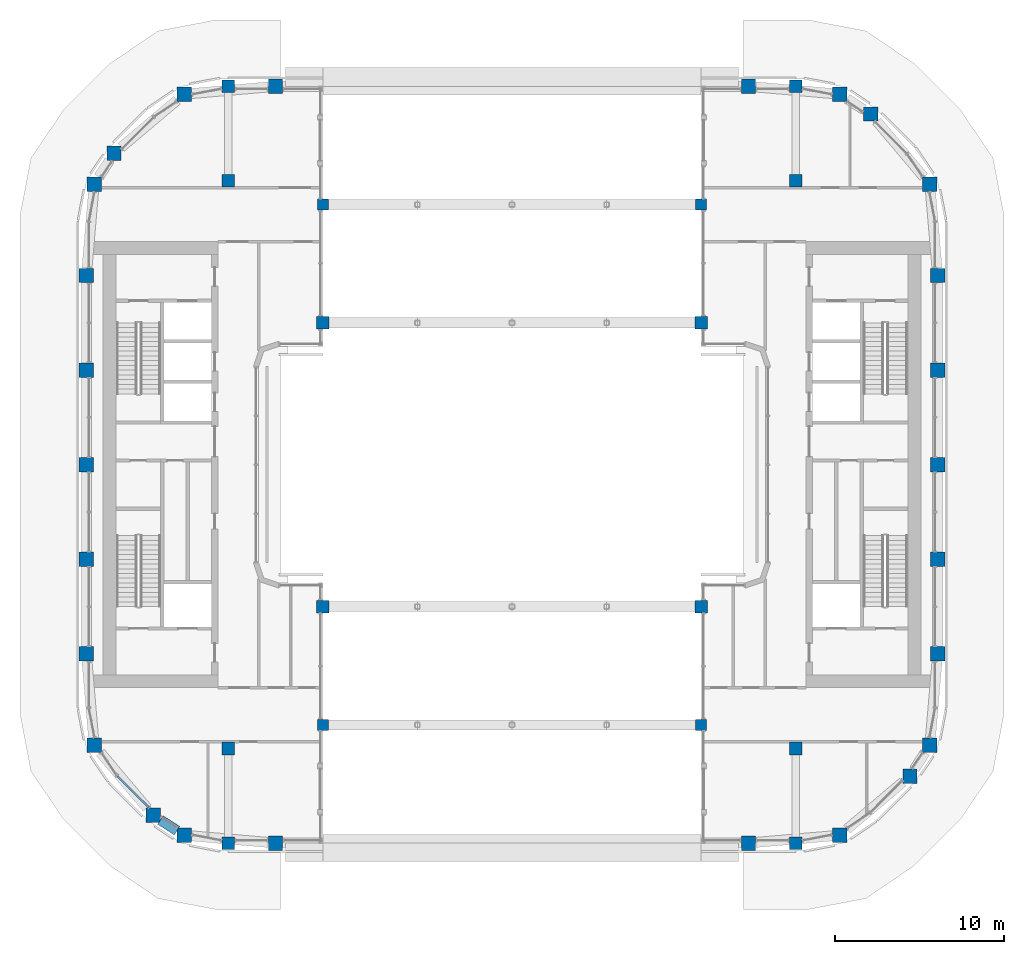
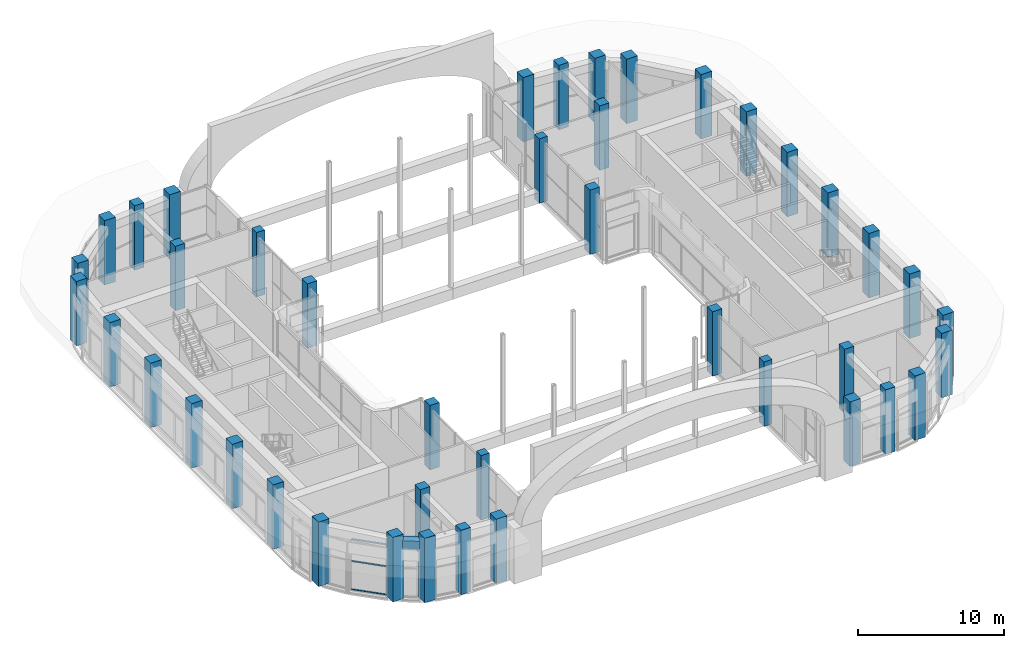
# One storey, part 1 of 26: 42 columns, 3 members, 1 beam, 1 element without a shape of its own.
"""IFC4 building model written with IfcOpenShell, lengths in metres."""

import ifcopenshell
import ifcopenshell.guid

model = None  # the IFC model being written
_history = None  # IfcOwnerHistory: only IFC2X3 demands one
_inside = {}  # id of a spatial element -> (the spatial element, [elements in it])
_under = {}  # id of a project, library or spatial element -> (it, [spatial elements below it])
_declared = {}  # id of a project -> (the project, [libraries it declares])
_typed = {}  # id of a type object -> (the type object, [elements of that type])
_made_of = {}  # id of a material, layer set ... -> (it, [elements and type objects made of it])


def new_model(schema):
    """Start an empty IFC model of exactly this schema.

    Asked for "IFC4X3", IfcOpenShell would pick the latest addendum, in which some entities
    have other attributes; the version numbers below select the first issue.
    IFC2X3 requires an IfcOwnerHistory on every rooted entity: one is made here for all.
    """
    global model, _history
    if schema == "IFC4X3":
        model = ifcopenshell.file(schema_version=(4, 3, 0, 0))
    else:
        model = ifcopenshell.file(schema=schema)
    _inside.clear()
    _under.clear()
    _declared.clear()
    _typed.clear()
    _made_of.clear()
    _history = None
    if model.schema == "IFC2X3":
        org = make("IfcOrganization", Name="unknown")
        user = make(
            "IfcPersonAndOrganization",
            ThePerson=make("IfcPerson", FamilyName="unknown"),
            TheOrganization=org,
        )
        app = make(
            "IfcApplication",
            ApplicationDeveloper=org,
            Version="unknown",
            ApplicationFullName="unknown",
            ApplicationIdentifier="unknown",
        )
        _history = make(
            "IfcOwnerHistory",
            OwningUser=user,
            OwningApplication=app,
            ChangeAction="ADDED",
            CreationDate=0,
        )
    return model


def make(cls, **values):
    """One entity of the class cls with the attributes given. An attribute that is None is left unset."""
    return model.create_entity(
        cls, **{name: value for name, value in values.items() if value is not None}
    )


def rooted(cls, **values):
    """An entity with a GlobalId (a new one), such as an element, a storey or a relation."""
    return make(cls, GlobalId=ifcopenshell.guid.new(), OwnerHistory=_history, **values)


def si_unit(unit_type, name, prefix=None):
    """IfcSIUnit, for example si_unit("LENGTHUNIT", "METRE", prefix="MILLI")."""
    return make("IfcSIUnit", UnitType=unit_type, Prefix=prefix, Name=name)


def assignment(units):
    """IfcUnitAssignment: the units of a project."""
    return None if units is None else make("IfcUnitAssignment", Units=units)


def point(xyz):
    """IfcCartesianPoint."""
    return None if xyz is None else make("IfcCartesianPoint", Coordinates=xyz)


def direction(xyz):
    """IfcDirection."""
    return None if xyz is None else make("IfcDirection", DirectionRatios=xyz)


def frame(location, z_axis=None, x_axis=None):
    """IfcAxis2Placement3D, a coordinate frame: its origin and axes. An axis left out is left unset."""
    return make(
        "IfcAxis2Placement3D",
        Location=point(location),
        Axis=direction(z_axis),
        RefDirection=direction(x_axis),
    )


def frame_2d(location, x_axis=None):
    """IfcAxis2Placement2D, a coordinate frame in the plane: its origin and x axis."""
    return make(
        "IfcAxis2Placement2D", Location=point(location), RefDirection=direction(x_axis)
    )


def origin():
    """The frame at (0, 0, 0) with its axes left unset."""
    return frame((0.0, 0.0, 0.0))


def origin_2d():
    """The frame at (0, 0) in the plane with its x axis left unset."""
    return frame_2d((0.0, 0.0))


def place(relative_to, where):
    """IfcLocalPlacement: puts the frame where relative to a parent placement (None: the world)."""
    return make(
        "IfcLocalPlacement", PlacementRelTo=relative_to, RelativePlacement=where
    )


def context(
    kind, dimensions, precision=None, world=None, true_north=None, identifier=None
):
    """IfcGeometricRepresentationContext, for example the 3D "Model" context."""
    return make(
        "IfcGeometricRepresentationContext",
        ContextIdentifier=identifier,
        ContextType=kind,
        CoordinateSpaceDimension=dimensions,
        Precision=precision,
        WorldCoordinateSystem=world,
        TrueNorth=true_north,
    )


def subcontext(parent, identifier, kind, view, scale=None):
    """IfcGeometricRepresentationSubContext, for example "Body" below "Model"."""
    return make(
        "IfcGeometricRepresentationSubContext",
        ContextIdentifier=identifier,
        ContextType=kind,
        ParentContext=parent,
        TargetScale=scale,
        TargetView=view,
    )


def project(units=None, contexts=None):
    """IfcProject with its units and contexts."""
    return rooted(
        "IfcProject",
        Name="project",
        RepresentationContexts=contexts,
        UnitsInContext=assignment(units),
    )


def spatial(cls, under=None, at=None, **own):
    """A site, building, storey or space (cls), placed at a placement, below another one or the project."""
    s = rooted(cls, ObjectPlacement=at, **own)
    if under is not None:
        _under.setdefault(under.id(), (under, []))[1].append(s)
    return s


def profile(cls, at=None, kind="AREA", **sizes):
    """A parametric profile (cls). Its sizes go by their IFC names, for example OverallWidth=200.0."""
    return make(cls, ProfileType=kind, Position=at, **sizes)


def rectangle(**sizes):
    """IfcRectangleProfileDef."""
    return profile("IfcRectangleProfileDef", **sizes)


def extrude(swept, where, along, depth):
    """IfcExtrudedAreaSolid: the profile swept, set in the frame where, extruded along a direction by depth."""
    return make(
        "IfcExtrudedAreaSolid",
        SweptArea=swept,
        Position=where,
        ExtrudedDirection=direction(along),
        Depth=depth,
    )


def shape(context_of_items, identifier, shape_type, items):
    """IfcShapeRepresentation: the items that make up one representation, for example the "Body"."""
    return make(
        "IfcShapeRepresentation",
        ContextOfItems=context_of_items,
        RepresentationIdentifier=identifier,
        RepresentationType=shape_type,
        Items=items,
    )


def material(Name=None, Category=None):
    """IfcMaterial."""
    return make("IfcMaterial", Name=Name, Category=Category)


def layer(
    of_material, thickness, ventilated=None, Name=None, Category=None, Priority=None
):
    """IfcMaterialLayer: one layer of a wall or slab, of a material (None: an air gap)."""
    return make(
        "IfcMaterialLayer",
        Material=of_material,
        LayerThickness=thickness,
        IsVentilated=ventilated,
        Name=Name,
        Category=Category,
        Priority=Priority,
    )


def layer_set(layers, Name=None):
    """IfcMaterialLayerSet."""
    return make("IfcMaterialLayerSet", MaterialLayers=layers, LayerSetName=Name)


def material_profile(
    of_material, cross_section, Name=None, Category=None, Priority=None
):
    """IfcMaterialProfile: a cross section and its material."""
    return make(
        "IfcMaterialProfile",
        Name=Name,
        Material=of_material,
        Profile=cross_section,
        Priority=Priority,
        Category=Category,
    )


def profile_set(profiles, Name=None, composite=None):
    """IfcMaterialProfileSet."""
    return make(
        "IfcMaterialProfileSet",
        Name=Name,
        MaterialProfiles=profiles,
        CompositeProfile=composite,
    )


def made_of(thing, what):
    """Note that an element or type object is made of a material, layer set ...; save() writes the relation."""
    if what is not None:
        _made_of.setdefault(what.id(), (what, []))[1].append(thing)
    return thing


def type_object(cls, material=None, **own):
    """A type object (cls), such as IfcWallType, which elements share."""
    return made_of(rooted(cls, **own), material)


def element(
    cls,
    number,
    at=None,
    inside=None,
    cuts=None,
    type_object=None,
    material=None,
    context=None,
    identifier="Body",
    shape_type=None,
    held_by="IfcProductDefinitionShape",
    body=None,
    shapes=None,
    **own,
):
    """One element of the class cls, such as IfcWall. Its Tag is "e" and its number.

    at: its placement. inside: the storey or other place that contains it. cuts: it is an
    opening in that element (IfcRelVoidsElement). A single representation is given by context,
    identifier, shape_type and body (its items); several are given by shapes. held_by: the class
    of the entity that holds the representations. save() writes the other relations.
    """
    e = rooted(cls, Tag="e%d" % number, ObjectPlacement=at, **own)
    if body is not None:
        shapes = [shape(context, identifier, shape_type, body)]
    if shapes is not None:
        e.Representation = make(held_by, Representations=shapes)
    if inside is not None:
        _inside.setdefault(inside.id(), (inside, []))[1].append(e)
    if cuts is not None:
        rooted(
            "IfcRelVoidsElement", RelatingBuildingElement=cuts, RelatedOpeningElement=e
        )
    if type_object is not None:
        _typed.setdefault(type_object.id(), (type_object, []))[1].append(e)
    return made_of(e, material)


def aggregate(whole, parts):
    """IfcRelAggregates: a whole, such as a stair, and the parts it consists of."""
    return rooted("IfcRelAggregates", RelatingObject=whole, RelatedObjects=parts)


def save(model, path):
    """Write the relations noted so far, then the file.

    IfcRelAggregates (storeys below a building ...), IfcRelContainedInSpatialStructure (elements
    in a storey), IfcRelDefinesByType, IfcRelAssociatesMaterial and IfcRelDeclares: one each for
    every whole, place, type object, material and project.
    """
    for whole, parts in _under.values():
        aggregate(whole, parts)
    for where, things in _inside.values():
        rooted(
            "IfcRelContainedInSpatialStructure",
            RelatedElements=things,
            RelatingStructure=where,
        )
    for kind, things in _typed.values():
        rooted("IfcRelDefinesByType", RelatedObjects=things, RelatingType=kind)
    for what, things in _made_of.values():
        rooted("IfcRelAssociatesMaterial", RelatedObjects=things, RelatingMaterial=what)
    for by, libraries in _declared.values():
        rooted("IfcRelDeclares", RelatingContext=by, RelatedDefinitions=libraries)
    model.write(path)


model = new_model("IFC4")

# Units and contexts
model_context = context("Model", 3, precision=1e-05, world=origin(), true_north=direction((0.0, 1.0)))
body_context = subcontext(model_context, "Body", "Model", "MODEL_VIEW")
ifc_project = project(units=[si_unit("LENGTHUNIT", "METRE"), si_unit("AREAUNIT", "SQUARE_METRE"), si_unit("VOLUMEUNIT", "CUBIC_METRE"), si_unit("PLANEANGLEUNIT", "RADIAN"), si_unit("MASSUNIT", "GRAM", prefix="KILO")], contexts=[model_context])

# Site, building, storey
site_placement = place(None, origin())
site = spatial("IfcSite", under=ifc_project, at=site_placement, CompositionType="ELEMENT")
building_placement = place(site_placement, origin())
building = spatial("IfcBuilding", under=site, at=building_placement, Name="Kiln Ring Residences", CompositionType="ELEMENT")
storey_placement = place(building_placement, frame((0.0, 0.0, 230.89990234375)))
storey = spatial("IfcBuildingStorey", under=building, at=storey_placement, Name="L60", CompositionType="ELEMENT", Elevation=230.89990234375)

# Columns
ifc_material_1 = material(Name="Concrete C70/85", Category="concrete")
ifc_material_profile_1 = material_profile(ifc_material_1, rectangle(XDim=0.64990234375, YDim=0.64990234375, at=origin_2d()), Name="RC650x650")
ifc_profile_set_1 = profile_set([ifc_material_profile_1], Name="Concrete C70/85")
column_type_1 = type_object("IfcColumnType", Name="Corridor column RC650x650 C70/85", PredefinedType="COLUMN", material=ifc_profile_set_1)
for number, where, z_axis, x_axis, name in (
    (1, (-11.199951171875, 15.39990234375, 0.0), (0.0, 0.0, 1.0), (1.0, 0.0, 0.0), "Corridor column L60 1"),
    (2, (11.199951171875, 15.39990234375, 0.0), (0.0, 0.0, 1.0), (1.0, 0.0, 0.0), "Corridor column L60 2"),
    (3, (-11.199951171875, -15.39990234375, 0.0), (0.0, 0.0, 1.0), (1.0, 0.0, 0.0), "Corridor column L60 3"),
    (4, (11.199951171875, -15.39990234375, 0.0), (0.0, 0.0, 1.0), (1.0, 0.0, 0.0), "Corridor column L60 4"),
):
    element("IfcColumn", number, at=place(storey_placement, frame(where, z_axis=z_axis, x_axis=x_axis)), inside=storey, type_object=column_type_1, Name=name, PredefinedType="COLUMN", context=body_context, shape_type="SweptSolid", body=[
        extrude(rectangle(XDim=0.64990234375, YDim=0.64990234375, at=origin_2d()), origin(), (0.0, 0.0, 1.0), 5.400146484375),
    ])
ifc_material_2 = material(Name="Concrete C70/85", Category="concrete")
ifc_material_profile_2 = material_profile(ifc_material_2, rectangle(XDim=0.85009765625, YDim=0.85009765625, at=origin_2d()), Name="RC850x850")
ifc_profile_set_2 = profile_set([ifc_material_profile_2], Name="Concrete C70/85")
column_type_2 = type_object("IfcColumnType", Name="Perimeter column RC850x850 C70/85", PredefinedType="COLUMN", material=ifc_profile_set_2)
for number, where, z_axis, x_axis, name in (
    (5, (-19.40869140625, -21.93798828125, 0.0), (0.0, 0.0, 1.0), (1.0, 0.0, 0.0), "Perimeter column L60 1"),
    (6, (-14.0, -22.39990234375, 0.0), (0.0, 0.0, 1.0), (1.0, 0.0, 0.0), "Perimeter column L60 2"),
    (7, (14.0, -22.39990234375, 0.0), (0.0, 0.0, 1.0), (1.0, 0.0, 0.0), "Perimeter column L60 3"),
    (8, (19.40869140625, -21.93798828125, 0.0), (0.0, 0.0, 1.0), (1.0, 0.0, 0.0), "Perimeter column L60 4"),
    (9, (23.559814453125, -18.440185546875, 0.0), (0.0, 0.0, 1.0), (1.0, 0.0, 0.0), "Perimeter column L60 5"),
    (10, (24.738037109375, -16.608642578125, 0.0), (0.0, 0.0, 1.0), (1.0, 0.0, 0.0), "Perimeter column L60 6"),
    (11, (25.199951171875, -11.199951171875, 0.0), (0.0, 0.0, 1.0), (1.0, 0.0, 0.0), "Perimeter column L60 7"),
    (12, (25.199951171875, -5.60009765625, 0.0), (0.0, 0.0, 1.0), (1.0, 0.0, 0.0), "Perimeter column L60 8"),
    (13, (25.199951171875, 0.0, 0.0), (0.0, 0.0, 1.0), (1.0, 0.0, 0.0), "Perimeter column L60 9"),
    (14, (25.199951171875, 5.60009765625, 0.0), (0.0, 0.0, 1.0), (1.0, 0.0, 0.0), "Perimeter column L60 10"),
    (15, (25.199951171875, 11.199951171875, 0.0), (0.0, 0.0, 1.0), (1.0, 0.0, 0.0), "Perimeter column L60 11"),
    (16, (24.738037109375, 16.608642578125, 0.0), (0.0, 0.0, 1.0), (1.0, 0.0, 0.0), "Perimeter column L60 12"),
    (17, (21.240234375, 20.759765625, 0.0), (0.0, 0.0, 1.0), (1.0, 0.0, 0.0), "Perimeter column L60 13"),
    (18, (19.40869140625, 21.93798828125, 0.0), (0.0, 0.0, 1.0), (1.0, 0.0, 0.0), "Perimeter column L60 14"),
    (19, (14.0, 22.39990234375, 0.0), (0.0, 0.0, 1.0), (1.0, 0.0, 0.0), "Perimeter column L60 15"),
    (20, (-14.0, 22.39990234375, 0.0), (0.0, 0.0, 1.0), (1.0, 0.0, 0.0), "Perimeter column L60 16"),
    (21, (-19.40869140625, 21.93798828125, 0.0), (0.0, 0.0, 1.0), (1.0, 0.0, 0.0), "Perimeter column L60 17"),
    (22, (-23.559814453125, 18.440185546875, 0.0), (0.0, 0.0, 1.0), (1.0, 0.0, 0.0), "Perimeter column L60 18"),
    (23, (-24.738037109375, 16.608642578125, 0.0), (0.0, 0.0, 1.0), (1.0, 0.0, 0.0), "Perimeter column L60 19"),
    (24, (-25.199951171875, 11.199951171875, 0.0), (0.0, 0.0, 1.0), (1.0, 0.0, 0.0), "Perimeter column L60 20"),
    (25, (-25.199951171875, 5.60009765625, 0.0), (0.0, 0.0, 1.0), (1.0, 0.0, 0.0), "Perimeter column L60 21"),
    (26, (-25.199951171875, 0.0, 0.0), (0.0, 0.0, 1.0), (1.0, 0.0, 0.0), "Perimeter column L60 22"),
    (27, (-25.199951171875, -5.60009765625, 0.0), (0.0, 0.0, 1.0), (1.0, 0.0, 0.0), "Perimeter column L60 23"),
    (28, (-25.199951171875, -11.199951171875, 0.0), (0.0, 0.0, 1.0), (1.0, 0.0, 0.0), "Perimeter column L60 24"),
    (29, (-24.738037109375, -16.608642578125, 0.0), (0.0, 0.0, 1.0), (1.0, 0.0, 0.0), "Perimeter column L60 25"),
    (30, (-21.240234375, -20.759765625, 0.0), (0.0, 0.0, 1.0), (1.0, 0.0, 0.0), "Perimeter column L60 26"),
):
    element("IfcColumn", number, at=place(storey_placement, frame(where, z_axis=z_axis, x_axis=x_axis)), inside=storey, type_object=column_type_2, Name=name, PredefinedType="COLUMN", context=body_context, shape_type="SweptSolid", body=[
        extrude(rectangle(XDim=0.85009765625, YDim=0.85009765625, at=origin_2d()), origin(), (0.0, 0.0, 1.0), 5.400146484375),
    ])
ifc_material_3 = material(Name="Concrete C70/85", Category="concrete")
ifc_material_profile_3 = material_profile(ifc_material_3, rectangle(XDim=0.75, YDim=0.75, at=origin_2d()), Name="RC750x750")
ifc_profile_set_3 = profile_set([ifc_material_profile_3], Name="Concrete C70/85")
column_type_3 = type_object("IfcColumnType", Name="Ring column RC750x750 C70/85", PredefinedType="COLUMN", material=ifc_profile_set_3)
for number, where, z_axis, x_axis, name in (
    (31, (-16.800048828125, -22.39990234375, 0.0), (0.0, 0.0, 1.0), (1.0, 0.0, 0.0), "Ring column L60 1"),
    (32, (-16.800048828125, -16.800048828125, 0.0), (0.0, 0.0, 1.0), (1.0, 0.0, 0.0), "Ring column L60 2"),
    (33, (-16.800048828125, 16.800048828125, 0.0), (0.0, 0.0, 1.0), (1.0, 0.0, 0.0), "Ring column L60 3"),
    (34, (-16.800048828125, 22.39990234375, 0.0), (0.0, 0.0, 1.0), (1.0, 0.0, 0.0), "Ring column L60 4"),
    (35, (16.800048828125, -22.39990234375, 0.0), (0.0, 0.0, 1.0), (1.0, 0.0, 0.0), "Ring column L60 5"),
    (36, (16.800048828125, -16.800048828125, 0.0), (0.0, 0.0, 1.0), (1.0, 0.0, 0.0), "Ring column L60 6"),
    (37, (16.800048828125, 16.800048828125, 0.0), (0.0, 0.0, 1.0), (1.0, 0.0, 0.0), "Ring column L60 7"),
    (38, (16.800048828125, 22.39990234375, 0.0), (0.0, 0.0, 1.0), (1.0, 0.0, 0.0), "Ring column L60 8"),
    (39, (-11.199951171875, -8.39990234375, 0.0), (0.0, 0.0, 1.0), (1.0, 0.0, 0.0), "Ring column L60 9"),
    (40, (-11.199951171875, 8.39990234375, 0.0), (0.0, 0.0, 1.0), (1.0, 0.0, 0.0), "Ring column L60 10"),
    (41, (11.199951171875, -8.39990234375, 0.0), (0.0, 0.0, 1.0), (1.0, 0.0, 0.0), "Ring column L60 11"),
    (42, (11.199951171875, 8.39990234375, 0.0), (0.0, 0.0, 1.0), (1.0, 0.0, 0.0), "Ring column L60 12"),
):
    element("IfcColumn", number, at=place(storey_placement, frame(where, z_axis=z_axis, x_axis=x_axis)), inside=storey, type_object=column_type_3, Name=name, PredefinedType="COLUMN", context=body_context, shape_type="SweptSolid", body=[
        extrude(rectangle(XDim=0.75, YDim=0.75, at=origin_2d()), origin(), (0.0, 0.0, 1.0), 5.400146484375),
    ])

# Curtain wall, members
ifc_material_4 = material(Name="Aluminium and glass", Category="aluminium")
ifc_layer = layer(ifc_material_4, 0.199951171875)
ifc_layer_set = layer_set([ifc_layer], Name="CW1 CURTAIN WALL")
curtain_wall_type = type_object("IfcCurtainWallType", Name="CW1 CURTAIN WALL", PredefinedType="NOTDEFINED", material=ifc_layer_set)
curtain_wall_placement = place(storey_placement, origin())
curtain_wall = element("IfcCurtainWall", 43, at=curtain_wall_placement, inside=storey, type_object=curtain_wall_type, Name="Curtain wall CW1 L60", PredefinedType="NOTDEFINED")
ifc_material_5 = material(Name="Aluminium 6063-T6", Category="aluminium")
ifc_material_profile_4 = material_profile(ifc_material_5, rectangle(XDim=0.1201171875, YDim=0.06005859375, at=origin_2d()), Name="AL 120x60")
ifc_profile_set_4 = profile_set([ifc_material_profile_4], Name="Aluminium 6063-T6")
member_type = type_object("IfcMemberType", Name="CW1 TRANSOM 120 x 60", PredefinedType="USERDEFINED", material=ifc_profile_set_4)
member_1_placement = place(storey_placement, frame((-23.3544921875, -18.433349609375, 0.030029296875), z_axis=(0.707060348066, -0.707153211258, 0.0), x_axis=(0.707153211258, 0.707060348066, 0.0)))
member_1 = element("IfcMember", 44, at=member_1_placement, type_object=member_type, Name="CW1 transom 1.1", ObjectType="TRANSOM", PredefinedType="USERDEFINED", context=body_context, shape_type="SweptSolid", body=[
    extrude(rectangle(XDim=0.1201171875, YDim=0.06005859375, at=origin_2d()), origin(), (0.0, 0.0, 1.0), 2.629150390625),
])
member_2_placement = place(storey_placement, frame((-23.3544921875, -18.433349609375, 2.400146484375), z_axis=(0.707060348066, -0.707153211258, 0.0), x_axis=(0.707153211258, 0.707060348066, 0.0)))
member_2 = element("IfcMember", 45, at=member_2_placement, type_object=member_type, Name="CW1 transom 1.2", ObjectType="TRANSOM", PredefinedType="USERDEFINED", context=body_context, shape_type="SweptSolid", body=[
    extrude(rectangle(XDim=0.1201171875, YDim=0.06005859375, at=origin_2d()), origin(), (0.0, 0.0, 1.0), 2.629150390625),
])
member_3_placement = place(storey_placement, frame((-23.3544921875, -18.433349609375, 4.22021484375), z_axis=(0.707060348066, -0.707153211258, 0.0), x_axis=(0.707153211258, 0.707060348066, 0.0)))
member_3 = element("IfcMember", 46, at=member_3_placement, type_object=member_type, Name="CW1 transom 1.3", ObjectType="TRANSOM", PredefinedType="USERDEFINED", context=body_context, shape_type="SweptSolid", body=[
    extrude(rectangle(XDim=0.1201171875, YDim=0.06005859375, at=origin_2d()), origin(), (0.0, 0.0, 1.0), 2.629150390625),
])
aggregate(curtain_wall, [member_1, member_2, member_3])

# Beam
ifc_material_6 = material(Name="Concrete C50/60", Category="concrete")
ifc_material_profile_5 = material_profile(ifc_material_6, rectangle(XDim=0.60009765625, YDim=0.699951171875, at=origin_2d()), Name="RC600x700")
ifc_profile_set_5 = profile_set([ifc_material_profile_5], Name="Concrete C50/60")
beam_type = type_object("IfcBeamType", Name="Spandrel beam RC600x700 C50/60", PredefinedType="SPANDREL", material=ifc_profile_set_5)
beam_placement = place(storey_placement, frame((-20.815185546875, -21.033203125, 4.60009765625), z_axis=(0.840920108806, -0.54115928395, 0.0), x_axis=(0.54115928395, 0.840920108806, 0.0)))
element("IfcBeam", 47, at=beam_placement, inside=storey, type_object=beam_type, Name="Spandrel beam L60 24", PredefinedType="SPANDREL", context=body_context, shape_type="SweptSolid", body=[
    extrude(rectangle(XDim=0.60009765625, YDim=0.699951171875, at=origin_2d()), origin(), (0.0, 0.0, 1.0), 1.1669921875),
])

save(model, "model.ifc")
